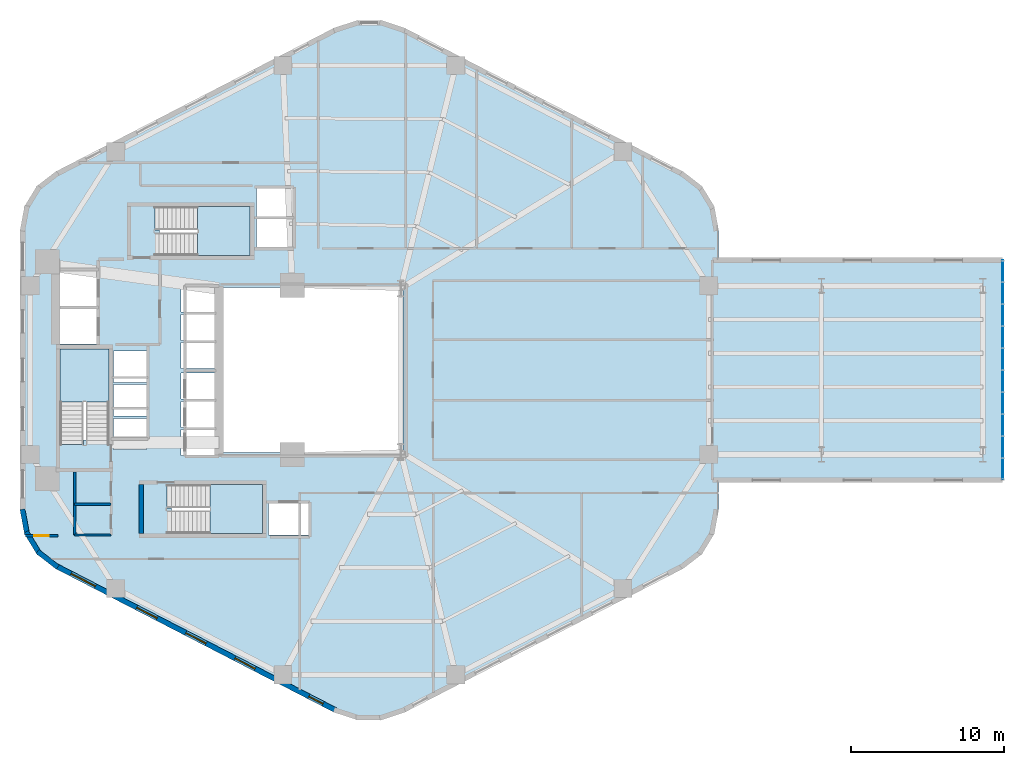
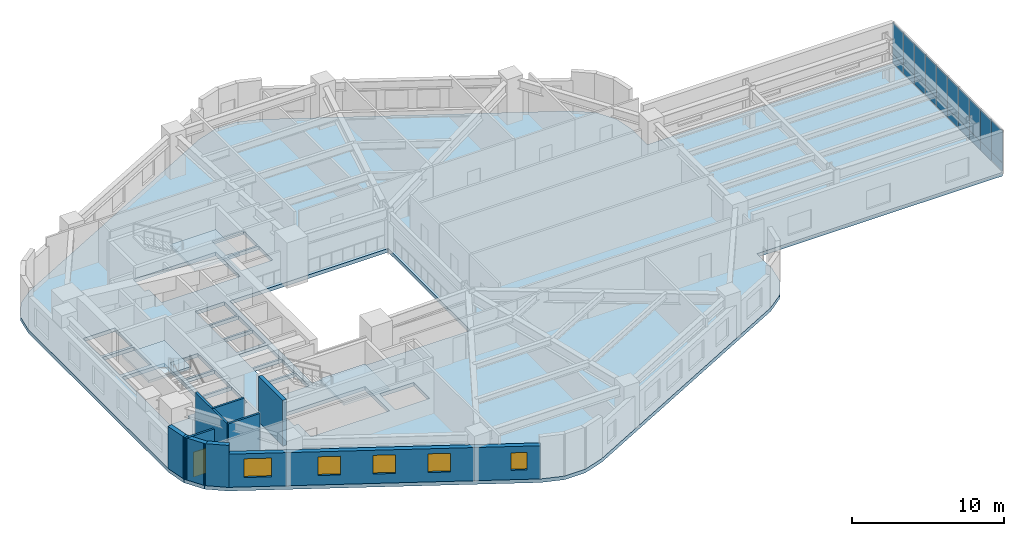
# One storey, part 4 of 10: 20 plates, 9 walls, 5 windows, 4 slabs, 1 door, 6 openings, 4 elements without a shape of their own.
"""IFC4 building model written with IfcOpenShell, lengths in metres."""

import ifcopenshell
import ifcopenshell.guid

model = None  # the IFC model being written
_history = None  # IfcOwnerHistory: only IFC2X3 demands one
_inside = {}  # id of a spatial element -> (the spatial element, [elements in it])
_under = {}  # id of a project, library or spatial element -> (it, [spatial elements below it])
_declared = {}  # id of a project -> (the project, [libraries it declares])
_typed = {}  # id of a type object -> (the type object, [elements of that type])
_made_of = {}  # id of a material, layer set ... -> (it, [elements and type objects made of it])


def new_model(schema):
    """Start an empty IFC model of exactly this schema.

    Asked for "IFC4X3", IfcOpenShell would pick the latest addendum, in which some entities
    have other attributes; the version numbers below select the first issue.
    IFC2X3 requires an IfcOwnerHistory on every rooted entity: one is made here for all.
    """
    global model, _history
    if schema == "IFC4X3":
        model = ifcopenshell.file(schema_version=(4, 3, 0, 0))
    else:
        model = ifcopenshell.file(schema=schema)
    _inside.clear()
    _under.clear()
    _declared.clear()
    _typed.clear()
    _made_of.clear()
    _history = None
    if model.schema == "IFC2X3":
        org = make("IfcOrganization", Name="unknown")
        user = make(
            "IfcPersonAndOrganization",
            ThePerson=make("IfcPerson", FamilyName="unknown"),
            TheOrganization=org,
        )
        app = make(
            "IfcApplication",
            ApplicationDeveloper=org,
            Version="unknown",
            ApplicationFullName="unknown",
            ApplicationIdentifier="unknown",
        )
        _history = make(
            "IfcOwnerHistory",
            OwningUser=user,
            OwningApplication=app,
            ChangeAction="ADDED",
            CreationDate=0,
        )
    return model


def make(cls, **values):
    """One entity of the class cls with the attributes given. An attribute that is None is left unset."""
    return model.create_entity(
        cls, **{name: value for name, value in values.items() if value is not None}
    )


def rooted(cls, **values):
    """An entity with a GlobalId (a new one), such as an element, a storey or a relation."""
    return make(cls, GlobalId=ifcopenshell.guid.new(), OwnerHistory=_history, **values)


def si_unit(unit_type, name, prefix=None):
    """IfcSIUnit, for example si_unit("LENGTHUNIT", "METRE", prefix="MILLI")."""
    return make("IfcSIUnit", UnitType=unit_type, Prefix=prefix, Name=name)


def assignment(units):
    """IfcUnitAssignment: the units of a project."""
    return None if units is None else make("IfcUnitAssignment", Units=units)


def point(xyz):
    """IfcCartesianPoint."""
    return None if xyz is None else make("IfcCartesianPoint", Coordinates=xyz)


def direction(xyz):
    """IfcDirection."""
    return None if xyz is None else make("IfcDirection", DirectionRatios=xyz)


def frame(location, z_axis=None, x_axis=None):
    """IfcAxis2Placement3D, a coordinate frame: its origin and axes. An axis left out is left unset."""
    return make(
        "IfcAxis2Placement3D",
        Location=point(location),
        Axis=direction(z_axis),
        RefDirection=direction(x_axis),
    )


def frame_2d(location, x_axis=None):
    """IfcAxis2Placement2D, a coordinate frame in the plane: its origin and x axis."""
    return make(
        "IfcAxis2Placement2D", Location=point(location), RefDirection=direction(x_axis)
    )


def origin():
    """The frame at (0, 0, 0) with its axes left unset."""
    return frame((0.0, 0.0, 0.0))


def origin_2d():
    """The frame at (0, 0) in the plane with its x axis left unset."""
    return frame_2d((0.0, 0.0))


def place(relative_to, where):
    """IfcLocalPlacement: puts the frame where relative to a parent placement (None: the world)."""
    return make(
        "IfcLocalPlacement", PlacementRelTo=relative_to, RelativePlacement=where
    )


def context(
    kind, dimensions, precision=None, world=None, true_north=None, identifier=None
):
    """IfcGeometricRepresentationContext, for example the 3D "Model" context."""
    return make(
        "IfcGeometricRepresentationContext",
        ContextIdentifier=identifier,
        ContextType=kind,
        CoordinateSpaceDimension=dimensions,
        Precision=precision,
        WorldCoordinateSystem=world,
        TrueNorth=true_north,
    )


def subcontext(parent, identifier, kind, view, scale=None):
    """IfcGeometricRepresentationSubContext, for example "Body" below "Model"."""
    return make(
        "IfcGeometricRepresentationSubContext",
        ContextIdentifier=identifier,
        ContextType=kind,
        ParentContext=parent,
        TargetScale=scale,
        TargetView=view,
    )


def project(units=None, contexts=None):
    """IfcProject with its units and contexts."""
    return rooted(
        "IfcProject",
        Name="project",
        RepresentationContexts=contexts,
        UnitsInContext=assignment(units),
    )


def spatial(cls, under=None, at=None, **own):
    """A site, building, storey or space (cls), placed at a placement, below another one or the project."""
    s = rooted(cls, ObjectPlacement=at, **own)
    if under is not None:
        _under.setdefault(under.id(), (under, []))[1].append(s)
    return s


def polyline(points):
    """IfcPolyline through the points."""
    return make("IfcPolyline", Points=[point(p) for p in points])


def profile(cls, at=None, kind="AREA", **sizes):
    """A parametric profile (cls). Its sizes go by their IFC names, for example OverallWidth=200.0."""
    return make(cls, ProfileType=kind, Position=at, **sizes)


def rectangle(**sizes):
    """IfcRectangleProfileDef."""
    return profile("IfcRectangleProfileDef", **sizes)


def outline(outer, holes=None, kind="AREA"):
    """IfcArbitraryClosedProfileDef: a profile drawn as a closed curve; with holes, ...WithVoids."""
    if holes is None:
        return make("IfcArbitraryClosedProfileDef", ProfileType=kind, OuterCurve=outer)
    return make(
        "IfcArbitraryProfileDefWithVoids",
        ProfileType=kind,
        OuterCurve=outer,
        InnerCurves=holes,
    )


def extrude(swept, where, along, depth):
    """IfcExtrudedAreaSolid: the profile swept, set in the frame where, extruded along a direction by depth."""
    return make(
        "IfcExtrudedAreaSolid",
        SweptArea=swept,
        Position=where,
        ExtrudedDirection=direction(along),
        Depth=depth,
    )


def shape(context_of_items, identifier, shape_type, items):
    """IfcShapeRepresentation: the items that make up one representation, for example the "Body"."""
    return make(
        "IfcShapeRepresentation",
        ContextOfItems=context_of_items,
        RepresentationIdentifier=identifier,
        RepresentationType=shape_type,
        Items=items,
    )


def material(Name=None, Category=None):
    """IfcMaterial."""
    return make("IfcMaterial", Name=Name, Category=Category)


def layer(
    of_material, thickness, ventilated=None, Name=None, Category=None, Priority=None
):
    """IfcMaterialLayer: one layer of a wall or slab, of a material (None: an air gap)."""
    return make(
        "IfcMaterialLayer",
        Material=of_material,
        LayerThickness=thickness,
        IsVentilated=ventilated,
        Name=Name,
        Category=Category,
        Priority=Priority,
    )


def layer_set(layers, Name=None):
    """IfcMaterialLayerSet."""
    return make("IfcMaterialLayerSet", MaterialLayers=layers, LayerSetName=Name)


def made_of(thing, what):
    """Note that an element or type object is made of a material, layer set ...; save() writes the relation."""
    if what is not None:
        _made_of.setdefault(what.id(), (what, []))[1].append(thing)
    return thing


def type_object(cls, material=None, **own):
    """A type object (cls), such as IfcWallType, which elements share."""
    return made_of(rooted(cls, **own), material)


def element(
    cls,
    number,
    at=None,
    inside=None,
    cuts=None,
    type_object=None,
    material=None,
    context=None,
    identifier="Body",
    shape_type=None,
    held_by="IfcProductDefinitionShape",
    body=None,
    shapes=None,
    **own,
):
    """One element of the class cls, such as IfcWall. Its Tag is "e" and its number.

    at: its placement. inside: the storey or other place that contains it. cuts: it is an
    opening in that element (IfcRelVoidsElement). A single representation is given by context,
    identifier, shape_type and body (its items); several are given by shapes. held_by: the class
    of the entity that holds the representations. save() writes the other relations.
    """
    e = rooted(cls, Tag="e%d" % number, ObjectPlacement=at, **own)
    if body is not None:
        shapes = [shape(context, identifier, shape_type, body)]
    if shapes is not None:
        e.Representation = make(held_by, Representations=shapes)
    if inside is not None:
        _inside.setdefault(inside.id(), (inside, []))[1].append(e)
    if cuts is not None:
        rooted(
            "IfcRelVoidsElement", RelatingBuildingElement=cuts, RelatedOpeningElement=e
        )
    if type_object is not None:
        _typed.setdefault(type_object.id(), (type_object, []))[1].append(e)
    return made_of(e, material)


def fill(opening, filler):
    """IfcRelFillsElement: the door or window that sits in an opening."""
    return rooted(
        "IfcRelFillsElement",
        RelatingOpeningElement=opening,
        RelatedBuildingElement=filler,
    )


def aggregate(whole, parts):
    """IfcRelAggregates: a whole, such as a stair, and the parts it consists of."""
    return rooted("IfcRelAggregates", RelatingObject=whole, RelatedObjects=parts)


def save(model, path):
    """Write the relations noted so far, then the file.

    IfcRelAggregates (storeys below a building ...), IfcRelContainedInSpatialStructure (elements
    in a storey), IfcRelDefinesByType, IfcRelAssociatesMaterial and IfcRelDeclares: one each for
    every whole, place, type object, material and project.
    """
    for whole, parts in _under.values():
        aggregate(whole, parts)
    for where, things in _inside.values():
        rooted(
            "IfcRelContainedInSpatialStructure",
            RelatedElements=things,
            RelatingStructure=where,
        )
    for kind, things in _typed.values():
        rooted("IfcRelDefinesByType", RelatedObjects=things, RelatingType=kind)
    for what, things in _made_of.values():
        rooted("IfcRelAssociatesMaterial", RelatedObjects=things, RelatingMaterial=what)
    for by, libraries in _declared.values():
        rooted("IfcRelDeclares", RelatingContext=by, RelatedDefinitions=libraries)
    model.write(path)


model = new_model("IFC4")

# Units and contexts
model_context = context("Model", 3, precision=1e-05, world=origin(), true_north=direction((0.0, 1.0)))
body_context = subcontext(model_context, "Body", "Model", "MODEL_VIEW")
ifc_project = project(units=[si_unit("LENGTHUNIT", "METRE"), si_unit("AREAUNIT", "SQUARE_METRE"), si_unit("VOLUMEUNIT", "CUBIC_METRE"), si_unit("PLANEANGLEUNIT", "RADIAN"), si_unit("MASSUNIT", "GRAM", prefix="KILO"), si_unit("THERMODYNAMICTEMPERATUREUNIT", "KELVIN"), si_unit("POWERUNIT", "WATT")], contexts=[model_context])

# Site, building, storey
site_placement = place(None, origin())
site = spatial("IfcSite", under=ifc_project, at=site_placement, CompositionType="ELEMENT")
building_placement = place(site_placement, origin())
building = spatial("IfcBuilding", under=site, at=building_placement, Name="Skarre Station Tower", CompositionType="ELEMENT")
storey_placement = place(building_placement, frame((0.0, 0.0, 52.550048828125)))
storey = spatial("IfcBuildingStorey", under=building, at=storey_placement, Name="L13", CompositionType="ELEMENT", Elevation=52.550048828125)

# Curtain wall, plates
ifc_material_1 = material(Name="Thermally Broken Bronze-Anodized Aluminium & Triple Low-E Glass", Category="aluminium")
ifc_layer_1 = layer(ifc_material_1, 0.2099609375, Name="Thermally Broken Bronze-Anodized Aluminium & Triple Low-E Glass")
ifc_layer_set_1 = layer_set([ifc_layer_1], Name="Thermally Broken Bronze-Anodized Aluminium & Triple Low-E Glass")
curtain_wall_type = type_object("IfcCurtainWallType", Name="Sky-Bar Prow Structural Glazed Curtain Wall", PredefinedType="NOTDEFINED", material=ifc_layer_set_1)
curtain_wall_placement = place(storey_placement, origin())
curtain_wall = element("IfcCurtainWall", 1, at=curtain_wall_placement, inside=storey, type_object=curtain_wall_type, Name="L13 SB-1 Lakefront Prow Curtain Wall", PredefinedType="NOTDEFINED")
ifc_material_2 = material(Name="Insulated Bronze Anodized Aluminium Spandrel", Category="aluminium")
ifc_layer_2 = layer(ifc_material_2, 0.052001953125, Name="Insulated Bronze Anodized Aluminium Spandrel")
ifc_layer_set_2 = layer_set([ifc_layer_2], Name="Insulated Bronze Anodized Aluminium Spandrel")
plate_type_1 = type_object("IfcPlateType", Name="Bronze Insulated Spandrel Sheet Panel 52", PredefinedType="SHEET", material=ifc_layer_set_2)
plate_1_placement = place(storey_placement, frame((78.863037109375, 30.47998046875, 0.052001953125), z_axis=(0.0, 0.0, 1.0), x_axis=(0.0, -1.0, 0.0)))
plate_1 = element("IfcPlate", 2, at=plate_1_placement, type_object=plate_type_1, Name="L13 SB-1 Lakefront Prow Curtain Wall Spandrel Panel 1-1", PredefinedType="SHEET", context=body_context, shape_type="SweptSolid", body=[
    extrude(rectangle(XDim=1.416015625, YDim=0.052001953125, at=origin_2d()), origin(), (0.0, 0.0, 1.0), 0.68603515625),
])
plate_2_placement = place(storey_placement, frame((78.863037109375, 29.0400390625, 0.052001953125), z_axis=(0.0, 0.0, 1.0), x_axis=(0.0, -1.0, 0.0)))
plate_2 = element("IfcPlate", 3, at=plate_2_placement, type_object=plate_type_1, Name="L13 SB-1 Lakefront Prow Curtain Wall Spandrel Panel 2-1", PredefinedType="SHEET", context=body_context, shape_type="SweptSolid", body=[
    extrude(rectangle(XDim=1.416015625, YDim=0.052001953125, at=origin_2d()), origin(), (0.0, 0.0, 1.0), 0.68603515625),
])
plate_3_placement = place(storey_placement, frame((78.863037109375, 27.60009765625, 0.052001953125), z_axis=(0.0, 0.0, 1.0), x_axis=(0.0, -1.0, 0.0)))
plate_3 = element("IfcPlate", 4, at=plate_3_placement, type_object=plate_type_1, Name="L13 SB-1 Lakefront Prow Curtain Wall Spandrel Panel 3-1", PredefinedType="SHEET", context=body_context, shape_type="SweptSolid", body=[
    extrude(rectangle(XDim=1.416015625, YDim=0.052001953125, at=origin_2d()), origin(), (0.0, 0.0, 1.0), 0.68603515625),
])
plate_4_placement = place(storey_placement, frame((78.863037109375, 26.159912109375, 0.052001953125), z_axis=(0.0, 0.0, 1.0), x_axis=(0.0, -1.0, 0.0)))
plate_4 = element("IfcPlate", 5, at=plate_4_placement, type_object=plate_type_1, Name="L13 SB-1 Lakefront Prow Curtain Wall Spandrel Panel 4-1", PredefinedType="SHEET", context=body_context, shape_type="SweptSolid", body=[
    extrude(rectangle(XDim=1.416015625, YDim=0.052001953125, at=origin_2d()), origin(), (0.0, 0.0, 1.0), 0.68603515625),
])
plate_5_placement = place(storey_placement, frame((78.863037109375, 24.719970703125, 0.052001953125), z_axis=(0.0, 0.0, 1.0), x_axis=(0.0, -1.0, 0.0)))
plate_5 = element("IfcPlate", 6, at=plate_5_placement, type_object=plate_type_1, Name="L13 SB-1 Lakefront Prow Curtain Wall Spandrel Panel 5-1", PredefinedType="SHEET", context=body_context, shape_type="SweptSolid", body=[
    extrude(rectangle(XDim=1.416015625, YDim=0.052001953125, at=origin_2d()), origin(), (0.0, 0.0, 1.0), 0.68603515625),
])
plate_6_placement = place(storey_placement, frame((78.863037109375, 23.280029296875, 0.052001953125), z_axis=(0.0, 0.0, 1.0), x_axis=(0.0, -1.0, 0.0)))
plate_6 = element("IfcPlate", 7, at=plate_6_placement, type_object=plate_type_1, Name="L13 SB-1 Lakefront Prow Curtain Wall Spandrel Panel 6-1", PredefinedType="SHEET", context=body_context, shape_type="SweptSolid", body=[
    extrude(rectangle(XDim=1.416015625, YDim=0.052001953125, at=origin_2d()), origin(), (0.0, 0.0, 1.0), 0.68603515625),
])
plate_7_placement = place(storey_placement, frame((78.863037109375, 21.840087890625, 0.052001953125), z_axis=(0.0, 0.0, 1.0), x_axis=(0.0, -1.0, 0.0)))
plate_7 = element("IfcPlate", 8, at=plate_7_placement, type_object=plate_type_1, Name="L13 SB-1 Lakefront Prow Curtain Wall Spandrel Panel 7-1", PredefinedType="SHEET", context=body_context, shape_type="SweptSolid", body=[
    extrude(rectangle(XDim=1.416015625, YDim=0.052001953125, at=origin_2d()), origin(), (0.0, 0.0, 1.0), 0.68603515625),
])
plate_8_placement = place(storey_placement, frame((78.863037109375, 20.39990234375, 0.052001953125), z_axis=(0.0, 0.0, 1.0), x_axis=(0.0, -1.0, 0.0)))
plate_8 = element("IfcPlate", 9, at=plate_8_placement, type_object=plate_type_1, Name="L13 SB-1 Lakefront Prow Curtain Wall Spandrel Panel 8-1", PredefinedType="SHEET", context=body_context, shape_type="SweptSolid", body=[
    extrude(rectangle(XDim=1.416015625, YDim=0.052001953125, at=origin_2d()), origin(), (0.0, 0.0, 1.0), 0.68603515625),
])
plate_9_placement = place(storey_placement, frame((78.863037109375, 18.9599609375, 0.052001953125), z_axis=(0.0, 0.0, 1.0), x_axis=(0.0, -1.0, 0.0)))
plate_9 = element("IfcPlate", 10, at=plate_9_placement, type_object=plate_type_1, Name="L13 SB-1 Lakefront Prow Curtain Wall Spandrel Panel 9-1", PredefinedType="SHEET", context=body_context, shape_type="SweptSolid", body=[
    extrude(rectangle(XDim=1.416015625, YDim=0.052001953125, at=origin_2d()), origin(), (0.0, 0.0, 1.0), 0.68603515625),
])
plate_10_placement = place(storey_placement, frame((78.863037109375, 17.52001953125, 0.052001953125), z_axis=(0.0, 0.0, 1.0), x_axis=(0.0, -1.0, 0.0)))
plate_10 = element("IfcPlate", 11, at=plate_10_placement, type_object=plate_type_1, Name="L13 SB-1 Lakefront Prow Curtain Wall Spandrel Panel 10-1", PredefinedType="SHEET", context=body_context, shape_type="SweptSolid", body=[
    extrude(rectangle(XDim=1.416015625, YDim=0.052001953125, at=origin_2d()), origin(), (0.0, 0.0, 1.0), 0.68603515625),
])

# Stair, slab
ifc_material_3 = material(Name="Concrete C40/50", Category="concrete")
stair_type_1 = type_object("IfcStairType", Name="Reinforced Concrete Exit Stair ST-1", PredefinedType="HALF_TURN_STAIR", material=ifc_material_3)
stair_1_placement = place(storey_placement, origin())
stair_1 = element("IfcStair", 12, at=stair_1_placement, inside=storey, type_object=stair_type_1, Name="L13 Core Exit Stair ST-1", PredefinedType="HALF_TURN_STAIR")
ifc_layer_3 = layer(ifc_material_3, 0.219970703125, Name="Concrete C40/50")
ifc_layer_set_3 = layer_set([ifc_layer_3], Name="Concrete C40/50")
slab_type_1 = type_object("IfcSlabType", Name="Reinforced Concrete Stair & Ramp Landing 220", PredefinedType="LANDING", material=ifc_layer_set_3)
slab_1_placement = place(storey_placement, frame((0.0, 0.0, 1.625)))
slab_1 = element("IfcSlab", 13, at=slab_1_placement, type_object=slab_type_1, Name="ST-1 landing 1", PredefinedType="LANDING", context=body_context, shape_type="SweptSolid", body=[
    extrude(outline(polyline([(20.35009765625, 21.919921875), (20.35009765625, 25.39990234375), (17.14990234375, 25.39990234375), (17.14990234375, 21.919921875), (20.35009765625, 21.919921875)])), origin(), (0.0, 0.0, 1.0), 0.199951171875),
])
aggregate(stair_1, [slab_1])

stair_type_2 = type_object("IfcStairType", Name="Reinforced Concrete Exit Stair ST-2", PredefinedType="HALF_TURN_STAIR", material=ifc_material_3)
stair_2_placement = place(storey_placement, origin())
stair_2 = element("IfcStair", 14, at=stair_2_placement, inside=storey, type_object=stair_type_2, Name="L13 Core Exit Stair ST-2", PredefinedType="HALF_TURN_STAIR")
slab_2_placement = place(storey_placement, frame((0.0, 0.0, 1.625)))
slab_2 = element("IfcSlab", 15, at=slab_2_placement, type_object=slab_type_1, Name="ST-2 landing 1", PredefinedType="LANDING", context=body_context, shape_type="SweptSolid", body=[
    extrude(outline(polyline([(26.949951171875, 13.300048828125), (30.39990234375, 13.300048828125), (30.39990234375, 16.5), (26.949951171875, 16.5), (26.949951171875, 13.300048828125)])), origin(), (0.0, 0.0, 1.0), 0.199951171875),
])
aggregate(stair_2, [slab_2])

stair_type_3 = type_object("IfcStairType", Name="Reinforced Concrete Exit Stair ST-3", PredefinedType="HALF_TURN_STAIR", material=ifc_material_3)
stair_3_placement = place(storey_placement, origin())
stair_3 = element("IfcStair", 16, at=stair_3_placement, inside=storey, type_object=stair_type_3, Name="L13 Core Exit Stair ST-3", PredefinedType="HALF_TURN_STAIR")
slab_3_placement = place(storey_placement, frame((0.0, 0.0, 1.625)))
slab_3 = element("IfcSlab", 17, at=slab_3_placement, type_object=slab_type_1, Name="ST-3 landing 1", PredefinedType="LANDING", context=body_context, shape_type="SweptSolid", body=[
    extrude(outline(polyline([(26.14990234375, 31.5), (29.60009765625, 31.5), (29.60009765625, 34.699951171875), (26.14990234375, 34.699951171875), (26.14990234375, 31.5)])), origin(), (0.0, 0.0, 1.0), 0.199951171875),
])
aggregate(stair_3, [slab_3])

# Slab
ifc_material_4 = material(Name="Concrete C50/60", Category="concrete")
ifc_layer_4 = layer(ifc_material_4, 0.2900390625, Name="Concrete C50/60")
ifc_layer_set_4 = layer_set([ifc_layer_4], Name="Concrete C50/60")
slab_type_2 = type_object("IfcSlabType", Name="Sky-Bar Composite Floor Slab 290", PredefinedType="FLOOR", material=ifc_layer_set_4)
slab_4_placement = place(storey_placement, frame((0.0, 0.0, -0.2900390625)))
element("IfcSlab", 18, at=slab_4_placement, inside=storey, type_object=slab_type_2, Name="L13 Tower and SB-1 Floor Slab", PredefinedType="FLOOR", context=body_context, shape_type="SweptSolid", body=[
    extrude(outline(polyline([(60.262939453125, 16.800048828125), (78.863037109375, 16.800048828125), (78.863037109375, 31.199951171875), (60.262939453125, 31.199951171875), (60.262939453125, 33.201904296875), (59.98193359375, 34.72412109375), (59.177001953125, 36.044921875), (57.9541015625, 36.991943359375), (39.708984375, 46.407958984375), (38.196044921875, 46.906005859375), (36.60400390625, 46.906005859375), (35.091064453125, 46.407958984375), (16.845947265625, 36.991943359375), (15.623046875, 36.044921875), (14.818115234375, 34.72412109375), (14.537109375, 33.201904296875), (14.537109375, 14.798095703125), (14.818115234375, 13.27587890625), (15.623046875, 11.955078125), (16.845947265625, 11.008056640625), (35.091064453125, 1.592041015625), (36.60400390625, 1.093994140625), (38.196044921875, 1.093994140625), (39.708984375, 1.592041015625), (57.9541015625, 11.008056640625), (59.177001953125, 11.955078125), (59.98193359375, 13.27587890625), (60.262939453125, 14.798095703125), (60.262939453125, 16.800048828125)]), holes=[polyline([(18.669921875, 19.419921875), (18.669921875, 19.123046875), (17.14990234375, 19.123046875), (17.14990234375, 25.39990234375), (20.35009765625, 25.39990234375), (20.35009765625, 19.419921875), (18.669921875, 19.419921875)]), polyline([(24.449951171875, 14.97998046875), (24.153076171875, 14.97998046875), (24.153076171875, 16.5), (30.39990234375, 16.5), (30.39990234375, 13.300048828125), (24.449951171875, 13.300048828125), (24.449951171875, 14.97998046875)]), polyline([(23.64990234375, 33.179931640625), (23.35302734375, 33.179931640625), (23.35302734375, 34.699951171875), (29.60009765625, 34.699951171875), (29.60009765625, 31.5), (23.64990234375, 31.5), (23.64990234375, 33.179931640625)]), polyline([(17.14990234375, 28.0), (19.550048828125, 28.0), (19.550048828125, 25.699951171875), (17.14990234375, 25.699951171875), (17.14990234375, 28.0)]), polyline([(17.14990234375, 30.5), (19.550048828125, 30.5), (19.550048828125, 28.199951171875), (17.14990234375, 28.199951171875), (17.14990234375, 30.5)]), polyline([(30.800048828125, 15.300048828125), (33.39990234375, 15.300048828125), (33.39990234375, 13.199951171875), (30.800048828125, 13.199951171875), (30.800048828125, 15.300048828125)]), polyline([(25.050048828125, 20.10009765625), (27.25, 20.10009765625), (27.25, 18.39990234375), (25.050048828125, 18.39990234375), (25.050048828125, 20.10009765625)]), polyline([(25.050048828125, 21.949951171875), (27.25, 21.949951171875), (27.25, 20.25), (25.050048828125, 20.25), (25.050048828125, 21.949951171875)]), polyline([(25.050048828125, 23.800048828125), (27.25, 23.800048828125), (27.25, 22.10009765625), (25.050048828125, 22.10009765625), (25.050048828125, 23.800048828125)]), polyline([(25.050048828125, 25.800048828125), (27.25, 25.800048828125), (27.25, 24.10009765625), (25.050048828125, 24.10009765625), (25.050048828125, 25.800048828125)]), polyline([(25.050048828125, 27.64990234375), (27.25, 27.64990234375), (27.25, 25.949951171875), (25.050048828125, 25.949951171875), (25.050048828125, 27.64990234375)]), polyline([(25.050048828125, 29.5), (27.25, 29.5), (27.25, 27.800048828125), (25.050048828125, 27.800048828125), (25.050048828125, 29.5)]), polyline([(20.64990234375, 20.85009765625), (22.800048828125, 20.85009765625), (22.800048828125, 18.800048828125), (20.64990234375, 18.800048828125), (20.64990234375, 20.85009765625)]), polyline([(20.64990234375, 23.050048828125), (22.800048828125, 23.050048828125), (22.800048828125, 21.0), (20.64990234375, 21.0), (20.64990234375, 23.050048828125)]), polyline([(20.64990234375, 25.25), (22.800048828125, 25.25), (22.800048828125, 23.199951171875), (20.64990234375, 23.199951171875), (20.64990234375, 25.25)]), polyline([(30.0, 33.89990234375), (32.39990234375, 33.89990234375), (32.39990234375, 32.050048828125), (30.0, 32.050048828125), (30.0, 33.89990234375)]), polyline([(30.0, 35.89990234375), (32.39990234375, 35.89990234375), (32.39990234375, 34.050048828125), (30.0, 34.050048828125), (30.0, 35.89990234375)]), polyline([(27.60009765625, 29.39990234375), (39.60009765625, 29.39990234375), (39.60009765625, 18.60009765625), (27.60009765625, 18.60009765625), (27.60009765625, 29.39990234375)])]), origin(), (0.0, 0.0, 1.0), 0.2900390625),
])

# Plate
ifc_material_5 = material(Name="Low-Iron Triple Insulating Glass Unit", Category="glass")
ifc_layer_5 = layer(ifc_material_5, 0.0439453125, Name="Low-Iron Triple Insulating Glass Unit")
ifc_layer_set_5 = layer_set([ifc_layer_5], Name="Low-Iron Triple Insulating Glass Unit")
plate_type_2 = type_object("IfcPlateType", Name="Triple-Glazed Vision Curtain Panel 44", PredefinedType="CURTAIN_PANEL", material=ifc_layer_set_5)
plate_11_placement = place(storey_placement, frame((78.863037109375, 30.47998046875, 0.761962890625), z_axis=(0.0, 0.0, 1.0), x_axis=(0.0, -1.0, 0.0)))
plate_11 = element("IfcPlate", 19, at=plate_11_placement, type_object=plate_type_2, Name="L13 SB-1 Lakefront Prow Curtain Wall Vision Panel 1-2", PredefinedType="CURTAIN_PANEL", context=body_context, shape_type="SweptSolid", body=[
    extrude(rectangle(XDim=1.416015625, YDim=0.0439453125, at=origin_2d()), origin(), (0.0, 0.0, 1.0), 2.5458984375),
])

plate_12_placement = place(storey_placement, frame((78.863037109375, 29.0400390625, 0.761962890625), z_axis=(0.0, 0.0, 1.0), x_axis=(0.0, -1.0, 0.0)))
plate_12 = element("IfcPlate", 20, at=plate_12_placement, type_object=plate_type_2, Name="L13 SB-1 Lakefront Prow Curtain Wall Vision Panel 2-2", PredefinedType="CURTAIN_PANEL", context=body_context, shape_type="SweptSolid", body=[
    extrude(rectangle(XDim=1.416015625, YDim=0.0439453125, at=origin_2d()), origin(), (0.0, 0.0, 1.0), 2.5458984375),
])

plate_13_placement = place(storey_placement, frame((78.863037109375, 27.60009765625, 0.761962890625), z_axis=(0.0, 0.0, 1.0), x_axis=(0.0, -1.0, 0.0)))
plate_13 = element("IfcPlate", 21, at=plate_13_placement, type_object=plate_type_2, Name="L13 SB-1 Lakefront Prow Curtain Wall Vision Panel 3-2", PredefinedType="CURTAIN_PANEL", context=body_context, shape_type="SweptSolid", body=[
    extrude(rectangle(XDim=1.416015625, YDim=0.0439453125, at=origin_2d()), origin(), (0.0, 0.0, 1.0), 2.5458984375),
])

plate_14_placement = place(storey_placement, frame((78.863037109375, 26.159912109375, 0.761962890625), z_axis=(0.0, 0.0, 1.0), x_axis=(0.0, -1.0, 0.0)))
plate_14 = element("IfcPlate", 22, at=plate_14_placement, type_object=plate_type_2, Name="L13 SB-1 Lakefront Prow Curtain Wall Vision Panel 4-2", PredefinedType="CURTAIN_PANEL", context=body_context, shape_type="SweptSolid", body=[
    extrude(rectangle(XDim=1.416015625, YDim=0.0439453125, at=origin_2d()), origin(), (0.0, 0.0, 1.0), 2.5458984375),
])

plate_15_placement = place(storey_placement, frame((78.863037109375, 24.719970703125, 0.761962890625), z_axis=(0.0, 0.0, 1.0), x_axis=(0.0, -1.0, 0.0)))
plate_15 = element("IfcPlate", 23, at=plate_15_placement, type_object=plate_type_2, Name="L13 SB-1 Lakefront Prow Curtain Wall Vision Panel 5-2", PredefinedType="CURTAIN_PANEL", context=body_context, shape_type="SweptSolid", body=[
    extrude(rectangle(XDim=1.416015625, YDim=0.0439453125, at=origin_2d()), origin(), (0.0, 0.0, 1.0), 2.5458984375),
])

plate_16_placement = place(storey_placement, frame((78.863037109375, 23.280029296875, 0.761962890625), z_axis=(0.0, 0.0, 1.0), x_axis=(0.0, -1.0, 0.0)))
plate_16 = element("IfcPlate", 24, at=plate_16_placement, type_object=plate_type_2, Name="L13 SB-1 Lakefront Prow Curtain Wall Vision Panel 6-2", PredefinedType="CURTAIN_PANEL", context=body_context, shape_type="SweptSolid", body=[
    extrude(rectangle(XDim=1.416015625, YDim=0.0439453125, at=origin_2d()), origin(), (0.0, 0.0, 1.0), 2.5458984375),
])

plate_17_placement = place(storey_placement, frame((78.863037109375, 21.840087890625, 0.761962890625), z_axis=(0.0, 0.0, 1.0), x_axis=(0.0, -1.0, 0.0)))
plate_17 = element("IfcPlate", 25, at=plate_17_placement, type_object=plate_type_2, Name="L13 SB-1 Lakefront Prow Curtain Wall Vision Panel 7-2", PredefinedType="CURTAIN_PANEL", context=body_context, shape_type="SweptSolid", body=[
    extrude(rectangle(XDim=1.416015625, YDim=0.0439453125, at=origin_2d()), origin(), (0.0, 0.0, 1.0), 2.5458984375),
])

plate_18_placement = place(storey_placement, frame((78.863037109375, 20.39990234375, 0.761962890625), z_axis=(0.0, 0.0, 1.0), x_axis=(0.0, -1.0, 0.0)))
plate_18 = element("IfcPlate", 26, at=plate_18_placement, type_object=plate_type_2, Name="L13 SB-1 Lakefront Prow Curtain Wall Vision Panel 8-2", PredefinedType="CURTAIN_PANEL", context=body_context, shape_type="SweptSolid", body=[
    extrude(rectangle(XDim=1.416015625, YDim=0.0439453125, at=origin_2d()), origin(), (0.0, 0.0, 1.0), 2.5458984375),
])

plate_19_placement = place(storey_placement, frame((78.863037109375, 18.9599609375, 0.761962890625), z_axis=(0.0, 0.0, 1.0), x_axis=(0.0, -1.0, 0.0)))
plate_19 = element("IfcPlate", 27, at=plate_19_placement, type_object=plate_type_2, Name="L13 SB-1 Lakefront Prow Curtain Wall Vision Panel 9-2", PredefinedType="CURTAIN_PANEL", context=body_context, shape_type="SweptSolid", body=[
    extrude(rectangle(XDim=1.416015625, YDim=0.0439453125, at=origin_2d()), origin(), (0.0, 0.0, 1.0), 2.5458984375),
])

plate_20_placement = place(storey_placement, frame((78.863037109375, 17.52001953125, 0.761962890625), z_axis=(0.0, 0.0, 1.0), x_axis=(0.0, -1.0, 0.0)))
plate_20 = element("IfcPlate", 28, at=plate_20_placement, type_object=plate_type_2, Name="L13 SB-1 Lakefront Prow Curtain Wall Vision Panel 10-2", PredefinedType="CURTAIN_PANEL", context=body_context, shape_type="SweptSolid", body=[
    extrude(rectangle(XDim=1.416015625, YDim=0.0439453125, at=origin_2d()), origin(), (0.0, 0.0, 1.0), 2.5458984375),
])

aggregate(curtain_wall, [plate_1, plate_11, plate_2, plate_12, plate_3, plate_13, plate_4, plate_14, plate_5, plate_15, plate_6, plate_16, plate_7, plate_17, plate_8, plate_18, plate_9, plate_19, plate_10, plate_20])

# Walls
ifc_material_6 = material(Name="Acoustic Steel-Stud Gypsum Partition", Category="steel")
ifc_layer_6 = layer(ifc_material_6, 0.14990234375, Name="Acoustic Steel-Stud Gypsum Partition")
ifc_layer_set_6 = layer_set([ifc_layer_6], Name="Acoustic Steel-Stud Gypsum Partition")
wall_type_1 = type_object("IfcWallType", Name="Fire-Rated Corridor Acoustic Partition 150", PredefinedType="PARTITIONING", material=ifc_layer_set_6)
wall_1_placement = place(storey_placement, frame((18.10009765625, 17.340087890625, 0.0), z_axis=(0.0, 0.0, 1.0), x_axis=(0.0, -1.0, 0.0)))
element("IfcWall", 29, at=wall_1_placement, inside=storey, type_object=wall_type_1, Name="L13 Interior Partition WL-PT-L13-CSVC-W", PredefinedType="PARTITIONING", context=body_context, shape_type="SweptSolid", body=[
    extrude(rectangle(XDim=4.14013671875, YDim=0.14990234375, at=frame_2d((2.070068359375, 0.0))), origin(), (0.0, 0.0, 1.0), 3.35986328125),
])
for number, where, z_axis, x_axis, name in (
    (30, (18.10009765625, 13.199951171875, 0.0), (0.0, 0.0, 1.0), (1.0, 0.0, 0.0), "L13 Interior Partition WL-PT-L13-CSVC-S"),
    (31, (18.10009765625, 15.219970703125, 0.0), (0.0, 0.0, 1.0), (1.0, 0.0, 0.0), "L13 Interior Partition WL-PT-L13-CSVC-M"),
):
    element("IfcWall", number, at=place(storey_placement, frame(where, z_axis=z_axis, x_axis=x_axis)), inside=storey, type_object=wall_type_1, Name=name, PredefinedType="PARTITIONING", context=body_context, shape_type="SweptSolid", body=[
        extrude(rectangle(XDim=2.389892578125, YDim=0.14990234375, at=frame_2d((1.19482421875, 0.0))), origin(), (0.0, 0.0, 1.0), 3.35986328125),
    ])

# Wall, opening, door
wall_2_placement = place(storey_placement, frame((17.02001953125, 13.159912109375, 0.0), z_axis=(0.0, 0.0, 1.0), x_axis=(-1.0, 0.0, 0.0)))
wall_2 = element("IfcWall", 32, at=wall_2_placement, inside=storey, type_object=wall_type_1, Name="L13 Interior Partition WL-PT-L13-WW1-CW", PredefinedType="PARTITIONING", context=body_context, shape_type="SweptSolid", body=[
    extrude(rectangle(XDim=2.1201171875, YDim=0.14990234375, at=frame_2d((1.06005859375, 0.0))), origin(), (0.0, 0.0, 1.0), 3.35986328125),
])
opening_1_placement = place(wall_2_placement, frame((0.596923828125, 0.0, 0.0)))
opening_1 = element("IfcOpeningElement", 33, at=opening_1_placement, cuts=wall_2, Name="Opening DR-FD60", PredefinedType="OPENING", context=body_context, shape_type="SweptSolid", body=[
    extrude(rectangle(XDim=0.9599609375, YDim=2.0, at=frame_2d((0.47998046875, 1.0))), frame((0.0, 0.0849609375, 0.0), z_axis=(0.0, -1.0, 0.0), x_axis=(1.0, 0.0, 0.0)), (0.0, 0.0, 1.0), 0.169921875),
])
ifc_material_7 = material(Name="Nordic White-Oak Veneer Solid-Core Fire Leaf", Category="wood")
door_type = type_object("IfcDoorType", Name="Corridor Suite Entry Fire Door FD60 960x2150", OperationType="SINGLE_SWING_LEFT", PredefinedType="DOOR", material=ifc_material_7)
door_placement = place(opening_1_placement, origin())
door = element("IfcDoor", 34, at=door_placement, inside=storey, type_object=door_type, Name="L13 WW1 Entry Door", OperationType="SINGLE_SWING_LEFT", OverallHeight=2.0, OverallWidth=0.9599609375, PredefinedType="DOOR", context=body_context, shape_type="SweptSolid", body=[
    extrude(rectangle(XDim=0.9599609375, YDim=2.0, at=frame_2d((0.47998046875, 1.0))), frame((0.0, 0.02490234375, 0.0), z_axis=(0.0, -1.0, 0.0), x_axis=(1.0, 0.0, 0.0)), (0.0, 0.0, 1.0), 0.050048828125),
])
fill(opening_1, door)

# Wall, openings, windows
ifc_material_8 = material(Name="Precast concrete C45/55", Category="concrete")
ifc_layer_7 = layer(ifc_material_8, 0.340087890625, Name="Precast concrete C45/55")
ifc_layer_set_7 = layer_set([ifc_layer_7], Name="Precast concrete C45/55")
wall_type_2 = type_object("IfcWallType", Name="Nordic Honed Precast Facet Wall 340", PredefinedType="STANDARD", material=ifc_layer_set_7)
wall_3_placement = place(storey_placement, frame((35.1689453125, 1.742919921875, 0.0), z_axis=(0.0, 0.0, 1.0), x_axis=(-0.888634413993, 0.458616264721, 0.0)))
wall_3 = element("IfcWall", 35, at=wall_3_placement, inside=storey, type_object=wall_type_2, Name="L13 Facet 3 Nordic Precast Masonry Wall", PredefinedType="STANDARD", context=body_context, shape_type="SweptSolid", body=[
    extrude(rectangle(XDim=20.53125, YDim=0.340087890625, at=frame_2d((10.265625, 0.0))), origin(), (0.0, 0.0, 1.0), 2.654052734375),
])
opening_2_placement = place(wall_3_placement, frame((0.902099609375, 0.0, 0.75)))
opening_2 = element("IfcOpeningElement", 36, at=opening_2_placement, cuts=wall_3, Name="Opening WN-SLT", PredefinedType="OPENING", context=body_context, shape_type="SweptSolid", body=[
    extrude(rectangle(XDim=1.050048828125, YDim=1.39990234375, at=frame_2d((0.52490234375, 0.699951171875))), frame((0.0, 0.179931640625, 0.0), z_axis=(0.0, -1.0, 0.0), x_axis=(1.0, 0.0, 0.0)), (0.0, 0.0, 1.0), 0.360107421875),
])
opening_3_placement = place(wall_3_placement, frame((5.903076171875, 0.0, 0.75)))
opening_3 = element("IfcOpeningElement", 37, at=opening_3_placement, cuts=wall_3, Name="Opening WN-Z1B", PredefinedType="OPENING", context=body_context, shape_type="SweptSolid", body=[
    extrude(rectangle(XDim=1.5, YDim=1.5, at=frame_2d((0.75, 0.75))), frame((0.0, 0.179931640625, 0.0), z_axis=(0.0, -1.0, 0.0), x_axis=(1.0, 0.0, 0.0)), (0.0, 0.0, 1.0), 0.360107421875),
])
opening_4_placement = place(wall_3_placement, frame((9.51611328125, 0.0, 0.75)))
opening_4 = element("IfcOpeningElement", 38, at=opening_4_placement, cuts=wall_3, Name="Opening WN-Z1B", PredefinedType="OPENING", context=body_context, shape_type="SweptSolid", body=[
    extrude(rectangle(XDim=1.5, YDim=1.5, at=frame_2d((0.75, 0.75))), frame((0.0, 0.179931640625, 0.0), z_axis=(0.0, -1.0, 0.0), x_axis=(1.0, 0.0, 0.0)), (0.0, 0.0, 1.0), 0.360107421875),
])
opening_5_placement = place(wall_3_placement, frame((13.12890625, 0.0, 0.75)))
opening_5 = element("IfcOpeningElement", 39, at=opening_5_placement, cuts=wall_3, Name="Opening WN-Z1B", PredefinedType="OPENING", context=body_context, shape_type="SweptSolid", body=[
    extrude(rectangle(XDim=1.5, YDim=1.5, at=frame_2d((0.75, 0.75))), frame((0.0, 0.179931640625, 0.0), z_axis=(0.0, -1.0, 0.0), x_axis=(1.0, 0.0, 0.0)), (0.0, 0.0, 1.0), 0.360107421875),
])
opening_6_placement = place(wall_3_placement, frame((17.673095703125, 0.0, 0.75)))
opening_6 = element("IfcOpeningElement", 40, at=opening_6_placement, cuts=wall_3, Name="Opening WN-Z1A", PredefinedType="OPENING", context=body_context, shape_type="SweptSolid", body=[
    extrude(rectangle(XDim=1.800048828125, YDim=1.5, at=frame_2d((0.89990234375, 0.75))), frame((0.0, 0.179931640625, 0.0), z_axis=(0.0, -1.0, 0.0), x_axis=(1.0, 0.0, 0.0)), (0.0, 0.0, 1.0), 0.360107421875),
])
ifc_material_9 = material(Name="Low-Iron Triple Glazing with Bronze Anodized Frame", Category="glass")
window_type_1 = type_object("IfcWindowType", Name="Nordic Corner Slot Window 1050x1400", PartitioningType="SINGLE_PANEL", PredefinedType="WINDOW", material=ifc_material_9)
window_1_placement = place(opening_2_placement, origin())
window_1 = element("IfcWindow", 41, at=window_1_placement, inside=storey, type_object=window_type_1, Name="L13 Facade Window WL-FAC-L13-F3-1", OverallHeight=1.39990234375, OverallWidth=1.050048828125, PartitioningType="SINGLE_PANEL", PredefinedType="WINDOW", context=body_context, shape_type="SweptSolid", body=[
    extrude(rectangle(XDim=1.050048828125, YDim=1.39990234375, at=frame_2d((0.52490234375, 0.699951171875))), frame((0.0, 0.030029296875, 0.0), z_axis=(0.0, -1.0, 0.0), x_axis=(1.0, 0.0, 0.0)), (0.0, 0.0, 1.0), 0.06005859375),
])
fill(opening_2, window_1)
window_type_2 = type_object("IfcWindowType", Name="Nordic Punched Triple-Glazed Window 1500x1500", PartitioningType="SINGLE_PANEL", PredefinedType="WINDOW", material=ifc_material_9)
window_2_placement = place(opening_3_placement, origin())
window_2 = element("IfcWindow", 42, at=window_2_placement, inside=storey, type_object=window_type_2, Name="L13 Facade Window WL-FAC-L13-F3-2", OverallHeight=1.5, OverallWidth=1.5, PartitioningType="SINGLE_PANEL", PredefinedType="WINDOW", context=body_context, shape_type="SweptSolid", body=[
    extrude(rectangle(XDim=1.5, YDim=1.5, at=frame_2d((0.75, 0.75))), frame((0.0, 0.030029296875, 0.0), z_axis=(0.0, -1.0, 0.0), x_axis=(1.0, 0.0, 0.0)), (0.0, 0.0, 1.0), 0.06005859375),
])
fill(opening_3, window_2)
window_3_placement = place(opening_4_placement, origin())
window_3 = element("IfcWindow", 43, at=window_3_placement, inside=storey, type_object=window_type_2, Name="L13 Facade Window WL-FAC-L13-F3-3", OverallHeight=1.5, OverallWidth=1.5, PartitioningType="SINGLE_PANEL", PredefinedType="WINDOW", context=body_context, shape_type="SweptSolid", body=[
    extrude(rectangle(XDim=1.5, YDim=1.5, at=frame_2d((0.75, 0.75))), frame((0.0, 0.030029296875, 0.0), z_axis=(0.0, -1.0, 0.0), x_axis=(1.0, 0.0, 0.0)), (0.0, 0.0, 1.0), 0.06005859375),
])
fill(opening_4, window_3)
window_4_placement = place(opening_5_placement, origin())
window_4 = element("IfcWindow", 44, at=window_4_placement, inside=storey, type_object=window_type_2, Name="L13 Facade Window WL-FAC-L13-F3-4", OverallHeight=1.5, OverallWidth=1.5, PartitioningType="SINGLE_PANEL", PredefinedType="WINDOW", context=body_context, shape_type="SweptSolid", body=[
    extrude(rectangle(XDim=1.5, YDim=1.5, at=frame_2d((0.75, 0.75))), frame((0.0, 0.030029296875, 0.0), z_axis=(0.0, -1.0, 0.0), x_axis=(1.0, 0.0, 0.0)), (0.0, 0.0, 1.0), 0.06005859375),
])
fill(opening_5, window_4)
window_type_3 = type_object("IfcWindowType", Name="Nordic Punched Triple-Glazed Window 1800x1500", PartitioningType="SINGLE_PANEL", PredefinedType="WINDOW", material=ifc_material_9)
window_5_placement = place(opening_6_placement, origin())
window_5 = element("IfcWindow", 45, at=window_5_placement, inside=storey, type_object=window_type_3, Name="L13 Facade Window WL-FAC-L13-F3-5", OverallHeight=1.5, OverallWidth=1.800048828125, PartitioningType="SINGLE_PANEL", PredefinedType="WINDOW", context=body_context, shape_type="SweptSolid", body=[
    extrude(rectangle(XDim=1.800048828125, YDim=1.5, at=frame_2d((0.89990234375, 0.75))), frame((0.0, 0.030029296875, 0.0), z_axis=(0.0, -1.0, 0.0), x_axis=(1.0, 0.0, 0.0)), (0.0, 0.0, 1.0), 0.06005859375),
])
fill(opening_6, window_5)

# Walls
ifc_layer_8 = layer(ifc_material_8, 0.330078125, Name="Precast concrete C45/55")
ifc_layer_set_8 = layer_set([ifc_layer_8], Name="Precast concrete C45/55")
wall_type_3 = type_object("IfcWallType", Name="Nordic Rounded Corner Precast Wall 330", PredefinedType="STANDARD", material=ifc_layer_set_8)
wall_4_placement = place(storey_placement, frame((16.998046875, 11.09912109375, 0.0), z_axis=(0.0, 0.0, 1.0), x_axis=(-0.790691856293, 0.61221433207, 0.0)))
element("IfcWall", 46, at=wall_4_placement, inside=storey, type_object=wall_type_3, Name="L13 Rounded Corner Precast Wall F3-1", PredefinedType="STANDARD", context=body_context, shape_type="SweptSolid", body=[
    extrude(rectangle(XDim=1.67578125, YDim=0.330078125, at=frame_2d((0.837890625, 0.0))), origin(), (0.0, 0.0, 1.0), 3.35986328125),
])
wall_5_placement = place(storey_placement, frame((15.798095703125, 11.985107421875, 0.0), z_axis=(0.0, 0.0, 1.0), x_axis=(-0.520584129191, 0.853810379671, 0.0)))
element("IfcWall", 47, at=wall_5_placement, inside=storey, type_object=wall_type_3, Name="L13 Rounded Corner Precast Wall F3-2", PredefinedType="STANDARD", context=body_context, shape_type="SweptSolid", body=[
    extrude(rectangle(XDim=1.677001953125, YDim=0.330078125, at=frame_2d((0.83837890625, 0.0))), origin(), (0.0, 0.0, 1.0), 3.35986328125),
])
wall_6_placement = place(storey_placement, frame((14.991943359375, 13.241943359375, 0.0), z_axis=(0.0, 0.0, 1.0), x_axis=(-0.181714143354, 0.983351397063, 0.0)))
element("IfcWall", 48, at=wall_6_placement, inside=storey, type_object=wall_type_3, Name="L13 Rounded Corner Precast Wall F3-3", PredefinedType="STANDARD", context=body_context, shape_type="SweptSolid", body=[
    extrude(rectangle(XDim=1.677978515625, YDim=0.330078125, at=frame_2d((0.8388671875, 0.0))), origin(), (0.0, 0.0, 1.0), 3.35986328125),
])
ifc_layer_9 = layer(ifc_material_4, 0.280029296875, Name="Concrete C50/60")
ifc_layer_set_9 = layer_set([ifc_layer_9], Name="Concrete C50/60")
wall_type_4 = type_object("IfcWallType", Name="RC Core Shear Wall 280", PredefinedType="SHEAR", material=ifc_layer_set_9)
wall_7_placement = place(storey_placement, frame((22.4599609375, 16.5, 0.0), z_axis=(0.0, 0.0, 1.0), x_axis=(0.0, -1.0, 0.0)))
element("IfcWall", 49, at=wall_7_placement, inside=storey, type_object=wall_type_4, Name="L13 Stair ST-2 West Shear Wall", PredefinedType="SHEAR", context=body_context, shape_type="SweptSolid", body=[
    extrude(rectangle(XDim=3.199951171875, YDim=0.280029296875, at=frame_2d((1.60009765625, 0.0))), origin(), (0.0, 0.0, 1.0), 3.64990234375),
])

save(model, "model.ifc")
